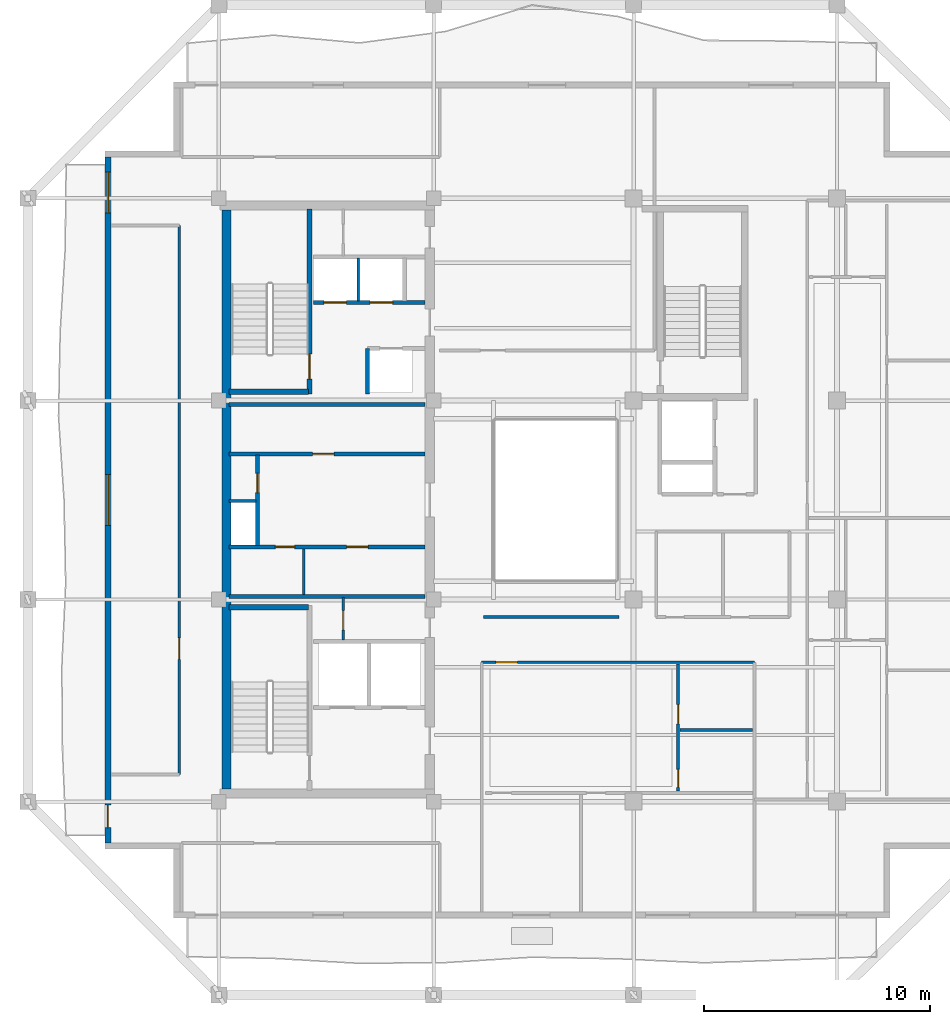
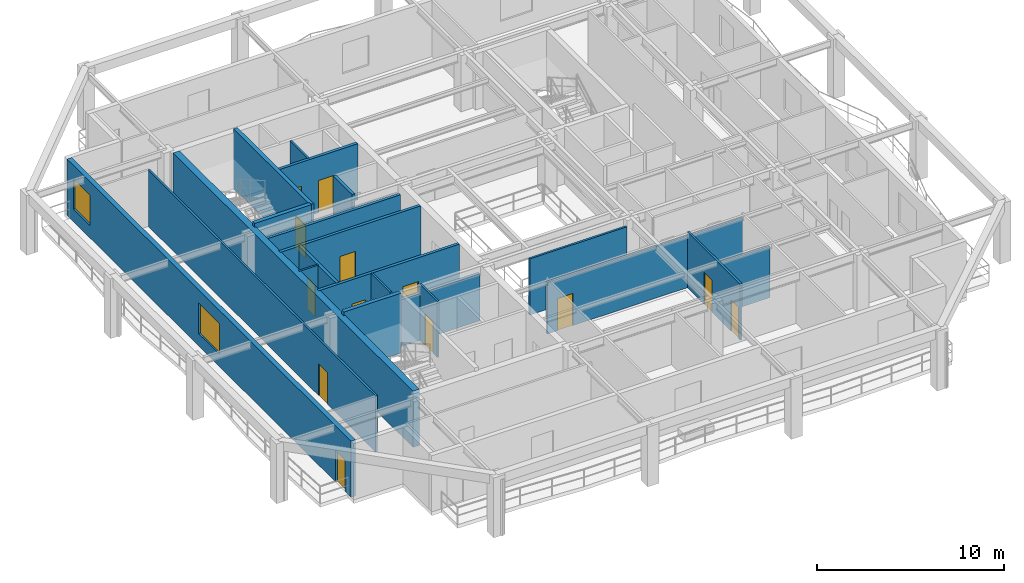
# One storey, part 3 of 10: 21 walls, 13 doors, 2 windows, 15 openings.
"""IFC4 building model written with IfcOpenShell, lengths in metres."""

from ifc_helpers import new_model, si_unit, direction, frame, frame_2d, origin, place, context, subcontext, project, spatial, rectangle, extrude, material, layer, layer_set, type_object, element, fill, save


model = new_model("IFC4")

# Units and contexts
model_context = context("Model", 3, precision=1e-05, world=origin(), true_north=direction((0.0, 1.0)))
body_context = subcontext(model_context, "Body", "Model", "MODEL_VIEW")
ifc_project = project(units=[si_unit("LENGTHUNIT", "METRE"), si_unit("AREAUNIT", "SQUARE_METRE"), si_unit("VOLUMEUNIT", "CUBIC_METRE"), si_unit("PLANEANGLEUNIT", "RADIAN"), si_unit("MASSUNIT", "GRAM", prefix="KILO")], contexts=[model_context])

# Site, building, storey
site_placement = place(None, origin())
site = spatial("IfcSite", under=ifc_project, at=site_placement, CompositionType="ELEMENT")
building_placement = place(site_placement, origin())
building = spatial("IfcBuilding", under=site, at=building_placement, Name="Kundavana Baori Tower", CompositionType="ELEMENT")
storey_placement = place(building_placement, frame((0.0, 0.0, 276.5)))
storey = spatial("IfcBuildingStorey", under=building, at=storey_placement, Name="L68", CompositionType="ELEMENT", Elevation=276.5)

# Walls
ifc_material_1 = material(Name="Concrete C50/60", Category="concrete")
ifc_layer_1 = layer(ifc_material_1, 0.39990234375, Name="WL-CORE-400")
ifc_layer_set_1 = layer_set([ifc_layer_1], Name="Concrete C50/60")
wall_type_1 = type_object("IfcWallType", Name="WL-CORE-400", PredefinedType="SHEAR", material=ifc_layer_set_1)
wall_1_placement = place(storey_placement, frame((15.7900390625, 15.81005859375, 0.0), z_axis=(0.0, 0.0, 1.0), x_axis=(0.0, 1.0, 0.0)))
element("IfcWall", 1, at=wall_1_placement, inside=storey, type_object=wall_type_1, Name="L68 Offset Core West Shear Wall", PredefinedType="SHEAR", context=body_context, shape_type="SweptSolid", body=[
    extrude(rectangle(XDim=25.6298828125, YDim=0.39990234375, at=frame_2d((12.81494140625, 0.0))), origin(), (0.0, 0.0, 1.0), 3.659912109375),
])
wall_2_placement = place(storey_placement, frame((15.89990234375, 23.860107421875, 0.0), z_axis=(0.0, 0.0, 1.0), x_axis=(1.0, 0.0, 0.0)))
element("IfcWall", 2, at=wall_2_placement, inside=storey, type_object=wall_type_1, Name="WL-L68-ST1-N", PredefinedType="SHEAR", context=body_context, shape_type="SweptSolid", body=[
    extrude(rectangle(XDim=3.52001953125, YDim=0.239990234375, at=frame_2d((1.760009765625, 0.0))), origin(), (0.0, 0.0, 1.0), 3.89990234375),
])

# Wall, opening, door
wall_3_placement = place(storey_placement, frame((19.4599609375, 33.300048828125, 0.0), z_axis=(0.0, 0.0, 1.0), x_axis=(0.0, 1.0, 0.0)))
wall_3 = element("IfcWall", 3, at=wall_3_placement, inside=storey, type_object=wall_type_1, Name="WL-L68-ST2-E", PredefinedType="SHEAR", context=body_context, shape_type="SweptSolid", body=[
    extrude(rectangle(XDim=8.179931640625, YDim=0.239990234375, at=frame_2d((4.08984375, 0.0))), origin(), (0.0, 0.0, 1.0), 3.89990234375),
])
opening_1_placement = place(wall_3_placement, frame((0.64990234375, 0.0, 0.0)))
opening_1 = element("IfcOpeningElement", 4, at=opening_1_placement, cuts=wall_3, Name="Opening FD-110", PredefinedType="OPENING", context=body_context, shape_type="SweptSolid", body=[
    extrude(rectangle(XDim=1.10009765625, YDim=2.10009765625, at=frame_2d((0.550048828125, 1.050048828125))), frame((0.0, 0.1298828125, 0.0), z_axis=(0.0, -1.0, 0.0), x_axis=(1.0, 0.0, 0.0)), (0.0, 0.0, 1.0), 0.260009765625),
])
ifc_material_2 = material(Name="Galvanised Steel Fire-Rated Door Leaf", Category="steel")
door_type_1 = type_object("IfcDoorType", Name="DR-FD120-1100", OperationType="NOTDEFINED", PredefinedType="DOOR", material=ifc_material_2)
door_1_placement = place(opening_1_placement, origin())
door_1 = element("IfcDoor", 5, at=door_1_placement, inside=storey, type_object=door_type_1, Name="DR-L68-ST2", OperationType="SINGLE_SWING_RIGHT", OverallHeight=2.10009765625, OverallWidth=1.10009765625, PredefinedType="DOOR", context=body_context, shape_type="SweptSolid", body=[
    extrude(rectangle(XDim=1.10009765625, YDim=2.10009765625, at=frame_2d((0.550048828125, 1.050048828125))), frame((0.0, 0.02490234375, 0.0), z_axis=(0.0, -1.0, 0.0), x_axis=(1.0, 0.0, 0.0)), (0.0, 0.0, 1.0), 0.050048828125),
])
fill(opening_1, door_1)

# Wall
wall_4_placement = place(storey_placement, frame((15.89990234375, 33.389892578125, 0.0), z_axis=(0.0, 0.0, 1.0), x_axis=(1.0, 0.0, 0.0)))
element("IfcWall", 6, at=wall_4_placement, inside=storey, type_object=wall_type_1, Name="WL-L68-ST2-S", PredefinedType="SHEAR", context=body_context, shape_type="SweptSolid", body=[
    extrude(rectangle(XDim=3.52001953125, YDim=0.239990234375, at=frame_2d((1.760009765625, 0.0))), origin(), (0.0, 0.0, 1.0), 3.89990234375),
])

# Wall, openings, door, windows
ifc_material_3 = material(Name="Red-Buff Dholpur Sandstone Cladding on Concrete C40/50", Category="masonry")
ifc_layer_2 = layer(ifc_material_3, 0.280029296875, Name="WL-EXT-SAND-280")
ifc_layer_set_2 = layer_set([ifc_layer_2], Name="Red-Buff Dholpur Sandstone Cladding on Concrete C40/50")
wall_type_2 = type_object("IfcWallType", Name="WL-EXT-SAND-280", PredefinedType="STANDARD", material=ifc_layer_set_2)
wall_5_placement = place(storey_placement, frame((10.5400390625, 43.77001953125, 0.0), z_axis=(0.0, 0.0, 1.0), x_axis=(0.0, -1.0, 0.0)))
wall_5 = element("IfcWall", 7, at=wall_5_placement, inside=storey, type_object=wall_type_2, Name="L68 Exterior Insulated Facade Wall 10", PredefinedType="STANDARD", context=body_context, shape_type="SweptSolid", body=[
    extrude(rectangle(XDim=30.340087890625, YDim=0.280029296875, at=frame_2d((15.169921875, 0.0))), origin(), (0.0, 0.0, 1.0), 3.659912109375),
])
opening_2_placement = place(wall_5_placement, frame((28.669921875, 0.0, 0.0)))
opening_2 = element("IfcOpeningElement", 8, at=opening_2_placement, cuts=wall_5, Name="Opening BD-1", PredefinedType="OPENING", context=body_context, shape_type="SweptSolid", body=[
    extrude(rectangle(XDim=1.0, YDim=2.050048828125, at=frame_2d((0.5, 1.02490234375))), frame((0.0, 0.14990234375, 0.0), z_axis=(0.0, -1.0, 0.0), x_axis=(1.0, 0.0, 0.0)), (0.0, 0.0, 1.0), 0.300048828125),
])
opening_3_placement = place(wall_5_placement, frame((14.044921875, 0.0, 0.800048828125)))
opening_3 = element("IfcOpeningElement", 9, at=opening_3_placement, cuts=wall_5, Name="Opening W-10", PredefinedType="OPENING", context=body_context, shape_type="SweptSolid", body=[
    extrude(rectangle(XDim=2.25, YDim=2.0, at=frame_2d((1.125, 1.0))), frame((0.0, 0.14990234375, 0.0), z_axis=(0.0, -1.0, 0.0), x_axis=(1.0, 0.0, 0.0)), (0.0, 0.0, 1.0), 0.300048828125),
])
opening_4_placement = place(wall_5_placement, frame((0.6650390625, 0.0, 0.800048828125)))
opening_4 = element("IfcOpeningElement", 10, at=opening_4_placement, cuts=wall_5, Name="Opening W-01", PredefinedType="OPENING", context=body_context, shape_type="SweptSolid", body=[
    extrude(rectangle(XDim=1.800048828125, YDim=2.0, at=frame_2d((0.89990234375, 1.0))), frame((0.0, 0.14990234375, 0.0), z_axis=(0.0, -1.0, 0.0), x_axis=(1.0, 0.0, 0.0)), (0.0, 0.0, 1.0), 0.300048828125),
])
ifc_material_4 = material(Name="Architectural Patinated Bronze Metalwork")
door_type_2 = type_object("IfcDoorType", Name="DR-EXT-LOG-1000", OperationType="NOTDEFINED", PredefinedType="DOOR", material=ifc_material_4)
door_2_placement = place(opening_2_placement, frame((1.0, 0.0, 0.0), z_axis=(0.0, 0.0, 1.0), x_axis=(-1.0, 0.0, 0.0)))
door_2 = element("IfcDoor", 11, at=door_2_placement, inside=storey, type_object=door_type_2, Name="L68 Loggia Balcony Access Door W", OperationType="SINGLE_SWING_RIGHT", OverallHeight=2.050048828125, OverallWidth=1.0, PredefinedType="DOOR", context=body_context, shape_type="SweptSolid", body=[
    extrude(rectangle(XDim=1.0, YDim=2.050048828125, at=frame_2d((0.5, 1.02490234375))), frame((0.0, 0.02490234375, 0.0), z_axis=(0.0, -1.0, 0.0), x_axis=(1.0, 0.0, 0.0)), (0.0, 0.0, 1.0), 0.050048828125),
])
fill(opening_2, door_2)
ifc_material_5 = material(Name="Double-Glazed Solar-Control Low-E Insulated Glass", Category="glass")
window_type_1 = type_object("IfcWindowType", Name="WIN-LOG-1800x2000", PartitioningType="SINGLE_PANEL", PredefinedType="WINDOW", material=ifc_material_5)
window_1_placement = place(opening_4_placement, origin())
window_1 = element("IfcWindow", 12, at=window_1_placement, inside=storey, type_object=window_type_1, Name="L68 Recessed Loggia Window W-3", OverallHeight=2.0, OverallWidth=1.800048828125, PartitioningType="SINGLE_PANEL", PredefinedType="WINDOW", context=body_context, shape_type="SweptSolid", body=[
    extrude(rectangle(XDim=1.800048828125, YDim=2.0, at=frame_2d((0.89990234375, 1.0))), frame((0.0, 0.030029296875, 0.0), z_axis=(0.0, -1.0, 0.0), x_axis=(1.0, 0.0, 0.0)), (0.0, 0.0, 1.0), 0.06005859375),
])
fill(opening_4, window_1)
ifc_material_6 = material(Name="Double-Glazed Solar-Control Low-E Insulated Glass", Category="glass")
window_type_2 = type_object("IfcWindowType", Name="WIN-LOG-2250x2000", PartitioningType="SINGLE_PANEL", PredefinedType="WINDOW", material=ifc_material_6)
window_2_placement = place(opening_3_placement, origin())
window_2 = element("IfcWindow", 13, at=window_2_placement, inside=storey, type_object=window_type_2, Name="L68 Recessed Loggia Window W-2", OverallHeight=2.0, OverallWidth=2.25, PartitioningType="SINGLE_PANEL", PredefinedType="WINDOW", context=body_context, shape_type="SweptSolid", body=[
    extrude(rectangle(XDim=2.25, YDim=2.0, at=frame_2d((1.125, 1.0))), frame((0.0, 0.030029296875, 0.0), z_axis=(0.0, -1.0, 0.0), x_axis=(1.0, 0.0, 0.0)), (0.0, 0.0, 1.0), 0.06005859375),
])
fill(opening_3, window_2)

# Wall, opening, door
ifc_material_7 = material(Name="Acoustic Gypsum Plasterboard on Galvanised Steel Studs", Category="steel")
ifc_layer_3 = layer(ifc_material_7, 0.1201171875, Name="WL-PART-120")
ifc_layer_set_3 = layer_set([ifc_layer_3], Name="Acoustic Gypsum Plasterboard on Galvanised Steel Studs")
wall_type_3 = type_object("IfcWallType", Name="WL-PART-120", PredefinedType="PARTITIONING", material=ifc_layer_set_3)
wall_6_placement = place(storey_placement, frame((20.949951171875, 22.39990234375, 0.0), z_axis=(0.0, 0.0, 1.0), x_axis=(0.0, 1.0, 0.0)))
wall_6 = element("IfcWall", 14, at=wall_6_placement, inside=storey, type_object=wall_type_3, Name="WL-L68-CSMK-D2", PredefinedType="PARTITIONING", context=body_context, shape_type="SweptSolid", body=[
    extrude(rectangle(XDim=1.880126953125, YDim=0.1201171875, at=frame_2d((0.93994140625, 0.0))), origin(), (0.0, 0.0, 1.0), 3.659912109375),
])
opening_5_placement = place(wall_6_placement, frame((0.449951171875, 0.0, 0.0)))
opening_5 = element("IfcOpeningElement", 15, at=opening_5_placement, cuts=wall_6, Name="Opening FD-085", PredefinedType="OPENING", context=body_context, shape_type="SweptSolid", body=[
    extrude(rectangle(XDim=0.85009765625, YDim=2.06005859375, at=frame_2d((0.425048828125, 1.030029296875))), frame((0.0, 0.070068359375, 0.0), z_axis=(0.0, -1.0, 0.0), x_axis=(1.0, 0.0, 0.0)), (0.0, 0.0, 1.0), 0.14013671875),
])
ifc_material_8 = material(Name="Galvanised Steel Fire-Rated Door Leaf", Category="steel")
door_type_3 = type_object("IfcDoorType", Name="DR-FD60-850", OperationType="NOTDEFINED", PredefinedType="DOOR", material=ifc_material_8)
door_3_placement = place(opening_5_placement, origin())
door_3 = element("IfcDoor", 16, at=door_3_placement, inside=storey, type_object=door_type_3, Name="DR-L68-CSMK1", OperationType="SINGLE_SWING_RIGHT", OverallHeight=2.06005859375, OverallWidth=0.85009765625, PredefinedType="DOOR", context=body_context, shape_type="SweptSolid", body=[
    extrude(rectangle(XDim=0.85009765625, YDim=2.06005859375, at=frame_2d((0.425048828125, 1.030029296875))), frame((0.0, 0.02490234375, 0.0), z_axis=(0.0, -1.0, 0.0), x_axis=(1.0, 0.0, 0.0)), (0.0, 0.0, 1.0), 0.050048828125),
])
fill(opening_5, door_3)

# Walls
wall_7_placement = place(storey_placement, frame((19.199951171875, 24.419921875, 0.0), z_axis=(0.0, 0.0, 1.0), x_axis=(0.0, 1.0, 0.0)))
element("IfcWall", 17, at=wall_7_placement, inside=storey, type_object=wall_type_3, Name="WL-L68-FRLOW-DIV", PredefinedType="PARTITIONING", context=body_context, shape_type="SweptSolid", body=[
    extrude(rectangle(XDim=2.02001953125, YDim=0.1201171875, at=frame_2d((1.010009765625, 0.0))), origin(), (0.0, 0.0, 1.0), 3.659912109375),
])
wall_8_placement = place(storey_placement, frame((15.89990234375, 28.56005859375, 0.0), z_axis=(0.0, 0.0, 1.0), x_axis=(1.0, 0.0, 0.0)))
element("IfcWall", 18, at=wall_8_placement, inside=storey, type_object=wall_type_3, Name="WL-L68-RSRW-N", PredefinedType="PARTITIONING", context=body_context, shape_type="SweptSolid", body=[
    extrude(rectangle(XDim=1.2001953125, YDim=0.1201171875, at=frame_2d((0.60009765625, 0.0))), origin(), (0.0, 0.0, 1.0), 3.659912109375),
])
wall_9_placement = place(storey_placement, frame((21.6201171875, 37.39990234375, 0.0), z_axis=(0.0, 0.0, 1.0), x_axis=(0.0, 1.0, 0.0)))
element("IfcWall", 19, at=wall_9_placement, inside=storey, type_object=wall_type_3, Name="WL-L68-HR-DIV1", PredefinedType="PARTITIONING", context=body_context, shape_type="SweptSolid", body=[
    extrude(rectangle(XDim=1.900146484375, YDim=0.1201171875, at=frame_2d((0.9501953125, 0.0))), origin(), (0.0, 0.0, 1.0), 3.659912109375),
])

# Wall, openings, doors
ifc_material_9 = material(Name="Autoclaved Aerated Concrete Blockwork Masonry", Category="masonry")
ifc_layer_4 = layer(ifc_material_9, 0.179931640625, Name="WL-SHAFT-180")
ifc_layer_set_4 = layer_set([ifc_layer_4], Name="Autoclaved Aerated Concrete Blockwork Masonry")
wall_type_4 = type_object("IfcWallType", Name="WL-SHAFT-180", PredefinedType="SOLIDWALL", material=ifc_layer_set_4)
wall_10_placement = place(storey_placement, frame((15.89990234375, 26.52001953125, 0.0), z_axis=(0.0, 0.0, 1.0), x_axis=(1.0, 0.0, 0.0)))
wall_10 = element("IfcWall", 20, at=wall_10_placement, inside=storey, type_object=wall_type_4, Name="WL-L68-LPLOW-N", PredefinedType="SOLIDWALL", context=body_context, shape_type="SweptSolid", body=[
    extrude(rectangle(XDim=8.68017578125, YDim=0.179931640625, at=frame_2d((4.340087890625, 0.0))), origin(), (0.0, 0.0, 1.0), 3.659912109375),
])
opening_6_placement = place(wall_10_placement, frame((2.050048828125, 0.0, 0.0)))
opening_6 = element("IfcOpeningElement", 21, at=opening_6_placement, cuts=wall_10, Name="Opening FD-085", PredefinedType="OPENING", context=body_context, shape_type="SweptSolid", body=[
    extrude(rectangle(XDim=0.85009765625, YDim=2.06005859375, at=frame_2d((0.425048828125, 1.030029296875))), frame((0.0, 0.10009765625, 0.0), z_axis=(0.0, -1.0, 0.0), x_axis=(1.0, 0.0, 0.0)), (0.0, 0.0, 1.0), 0.199951171875),
])
opening_7_placement = place(wall_10_placement, frame((5.199951171875, 0.0, 0.0)))
opening_7 = element("IfcOpeningElement", 22, at=opening_7_placement, cuts=wall_10, Name="Opening FD-095", PredefinedType="OPENING", context=body_context, shape_type="SweptSolid", body=[
    extrude(rectangle(XDim=0.949951171875, YDim=2.10009765625, at=frame_2d((0.47509765625, 1.050048828125))), frame((0.0, 0.10009765625, 0.0), z_axis=(0.0, -1.0, 0.0), x_axis=(1.0, 0.0, 0.0)), (0.0, 0.0, 1.0), 0.199951171875),
])
door_4_placement = place(opening_6_placement, origin())
door_4 = element("IfcDoor", 23, at=door_4_placement, inside=storey, type_object=door_type_3, Name="DR-L68-FRLOW1", OperationType="SINGLE_SWING_LEFT", OverallHeight=2.06005859375, OverallWidth=0.85009765625, PredefinedType="DOOR", context=body_context, shape_type="SweptSolid", body=[
    extrude(rectangle(XDim=0.85009765625, YDim=2.06005859375, at=frame_2d((0.425048828125, 1.030029296875))), frame((0.0, 0.02490234375, 0.0), z_axis=(0.0, -1.0, 0.0), x_axis=(1.0, 0.0, 0.0)), (0.0, 0.0, 1.0), 0.050048828125),
])
fill(opening_6, door_4)
ifc_material_10 = material(Name="Engineered Teak Fire-Rated Timber Door Leaf", Category="wood")
door_type_4 = type_object("IfcDoorType", Name="DR-FD60-950", OperationType="NOTDEFINED", PredefinedType="DOOR", material=ifc_material_10)
door_5_placement = place(opening_7_placement, origin())
door_5 = element("IfcDoor", 24, at=door_5_placement, inside=storey, type_object=door_type_4, Name="DR-L68-FRLOW2", OperationType="SINGLE_SWING_RIGHT", OverallHeight=2.10009765625, OverallWidth=0.949951171875, PredefinedType="DOOR", context=body_context, shape_type="SweptSolid", body=[
    extrude(rectangle(XDim=0.949951171875, YDim=2.10009765625, at=frame_2d((0.47509765625, 1.050048828125))), frame((0.0, 0.02490234375, 0.0), z_axis=(0.0, -1.0, 0.0), x_axis=(1.0, 0.0, 0.0)), (0.0, 0.0, 1.0), 0.050048828125),
])
fill(opening_7, door_5)

# Wall
wall_11_placement = place(storey_placement, frame((15.89990234375, 24.330078125, 0.0), z_axis=(0.0, 0.0, 1.0), x_axis=(1.0, 0.0, 0.0)))
element("IfcWall", 25, at=wall_11_placement, inside=storey, type_object=wall_type_4, Name="WL-L68-LPLOW-S", PredefinedType="SOLIDWALL", context=body_context, shape_type="SweptSolid", body=[
    extrude(rectangle(XDim=8.68017578125, YDim=0.179931640625, at=frame_2d((4.340087890625, 0.0))), origin(), (0.0, 0.0, 1.0), 3.06005859375),
])

# Wall, opening, door
wall_12_placement = place(storey_placement, frame((17.159912109375, 26.580078125, 0.0), z_axis=(0.0, 0.0, 1.0), x_axis=(0.0, 1.0, 0.0)))
wall_12 = element("IfcWall", 26, at=wall_12_placement, inside=storey, type_object=wall_type_4, Name="WL-L68-RSRW-E", PredefinedType="SOLIDWALL", context=body_context, shape_type="SweptSolid", body=[
    extrude(rectangle(XDim=4.02001953125, YDim=0.179931640625, at=frame_2d((2.010009765625, 0.0))), origin(), (0.0, 0.0, 1.0), 3.659912109375),
])
opening_8_placement = place(wall_12_placement, frame((2.35009765625, 0.0, 0.0)))
opening_8 = element("IfcOpeningElement", 27, at=opening_8_placement, cuts=wall_12, Name="Opening FD-085", PredefinedType="OPENING", context=body_context, shape_type="SweptSolid", body=[
    extrude(rectangle(XDim=0.85009765625, YDim=2.06005859375, at=frame_2d((0.425048828125, 1.030029296875))), frame((0.0, 0.10009765625, 0.0), z_axis=(0.0, -1.0, 0.0), x_axis=(1.0, 0.0, 0.0)), (0.0, 0.0, 1.0), 0.199951171875),
])
door_6_placement = place(opening_8_placement, origin())
door_6 = element("IfcDoor", 28, at=door_6_placement, inside=storey, type_object=door_type_3, Name="DR-L68-CLN", OperationType="SINGLE_SWING_RIGHT", OverallHeight=2.06005859375, OverallWidth=0.85009765625, PredefinedType="DOOR", context=body_context, shape_type="SweptSolid", body=[
    extrude(rectangle(XDim=0.85009765625, YDim=2.06005859375, at=frame_2d((0.425048828125, 1.030029296875))), frame((0.0, 0.02490234375, 0.0), z_axis=(0.0, -1.0, 0.0), x_axis=(1.0, 0.0, 0.0)), (0.0, 0.0, 1.0), 0.050048828125),
])
fill(opening_8, door_6)

wall_13_placement = place(storey_placement, frame((15.89990234375, 30.639892578125, 0.0), z_axis=(0.0, 0.0, 1.0), x_axis=(1.0, 0.0, 0.0)))
wall_13 = element("IfcWall", 29, at=wall_13_placement, inside=storey, type_object=wall_type_4, Name="WL-L68-LPMID-S", PredefinedType="SOLIDWALL", context=body_context, shape_type="SweptSolid", body=[
    extrude(rectangle(XDim=8.68017578125, YDim=0.179931640625, at=frame_2d((4.340087890625, 0.0))), origin(), (0.0, 0.0, 1.0), 3.659912109375),
])
opening_9_placement = place(wall_13_placement, frame((3.699951171875, 0.0, 0.0)))
opening_9 = element("IfcOpeningElement", 30, at=opening_9_placement, cuts=wall_13, Name="Opening FD-095", PredefinedType="OPENING", context=body_context, shape_type="SweptSolid", body=[
    extrude(rectangle(XDim=0.949951171875, YDim=2.10009765625, at=frame_2d((0.47509765625, 1.050048828125))), frame((0.0, 0.10009765625, 0.0), z_axis=(0.0, -1.0, 0.0), x_axis=(1.0, 0.0, 0.0)), (0.0, 0.0, 1.0), 0.199951171875),
])
door_7_placement = place(opening_9_placement, frame((0.949951171875, 0.0, 0.0), z_axis=(0.0, 0.0, 1.0), x_axis=(-1.0, 0.0, 0.0)))
door_7 = element("IfcDoor", 31, at=door_7_placement, inside=storey, type_object=door_type_4, Name="DR-L68-FRMID1", OperationType="SINGLE_SWING_RIGHT", OverallHeight=2.10009765625, OverallWidth=0.949951171875, PredefinedType="DOOR", context=body_context, shape_type="SweptSolid", body=[
    extrude(rectangle(XDim=0.949951171875, YDim=2.10009765625, at=frame_2d((0.47509765625, 1.050048828125))), frame((0.0, 0.02490234375, 0.0), z_axis=(0.0, -1.0, 0.0), x_axis=(1.0, 0.0, 0.0)), (0.0, 0.0, 1.0), 0.050048828125),
])
fill(opening_9, door_7)

# Walls
wall_14_placement = place(storey_placement, frame((15.89990234375, 32.820068359375, 0.0), z_axis=(0.0, 0.0, 1.0), x_axis=(1.0, 0.0, 0.0)))
element("IfcWall", 32, at=wall_14_placement, inside=storey, type_object=wall_type_4, Name="WL-L68-LPMID-N", PredefinedType="SOLIDWALL", context=body_context, shape_type="SweptSolid", body=[
    extrude(rectangle(XDim=8.68017578125, YDim=0.179931640625, at=frame_2d((4.340087890625, 0.0))), origin(), (0.0, 0.0, 1.0), 3.06005859375),
])
wall_15_placement = place(storey_placement, frame((22.02001953125, 33.300048828125, 0.0), z_axis=(0.0, 0.0, 1.0), x_axis=(0.0, 1.0, 0.0)))
element("IfcWall", 33, at=wall_15_placement, inside=storey, type_object=wall_type_4, Name="WL-L68-LP11-W", PredefinedType="SOLIDWALL", context=body_context, shape_type="SweptSolid", body=[
    extrude(rectangle(XDim=2.010009765625, YDim=0.179931640625, at=frame_2d((1.0048828125, 0.0))), origin(), (0.0, 0.0, 1.0), 3.659912109375),
])

# Wall, openings, doors
wall_16_placement = place(storey_placement, frame((19.639892578125, 37.340087890625, 0.0), z_axis=(0.0, 0.0, 1.0), x_axis=(1.0, 0.0, 0.0)))
wall_16 = element("IfcWall", 34, at=wall_16_placement, inside=storey, type_object=wall_type_4, Name="WL-L68-HRLOB-N", PredefinedType="SOLIDWALL", context=body_context, shape_type="SweptSolid", body=[
    extrude(rectangle(XDim=4.940185546875, YDim=0.179931640625, at=frame_2d((2.47021484375, 0.0))), origin(), (0.0, 0.0, 1.0), 3.659912109375),
])
opening_10_placement = place(wall_16_placement, frame((0.449951171875, 0.0, 0.0)))
opening_10 = element("IfcOpeningElement", 35, at=opening_10_placement, cuts=wall_16, Name="Opening LD-100", PredefinedType="OPENING", context=body_context, shape_type="SweptSolid", body=[
    extrude(rectangle(XDim=1.0, YDim=2.10009765625, at=frame_2d((0.5, 1.050048828125))), frame((0.0, 0.10009765625, 0.0), z_axis=(0.0, -1.0, 0.0), x_axis=(1.0, 0.0, 0.0)), (0.0, 0.0, 1.0), 0.199951171875),
])
opening_11_placement = place(wall_16_placement, frame((2.5, 0.0, 0.0)))
opening_11 = element("IfcOpeningElement", 36, at=opening_11_placement, cuts=wall_16, Name="Opening LD-100", PredefinedType="OPENING", context=body_context, shape_type="SweptSolid", body=[
    extrude(rectangle(XDim=1.0, YDim=2.10009765625, at=frame_2d((0.5, 1.050048828125))), frame((0.0, 0.10009765625, 0.0), z_axis=(0.0, -1.0, 0.0), x_axis=(1.0, 0.0, 0.0)), (0.0, 0.0, 1.0), 0.199951171875),
])
ifc_material_11 = material(Name="Galvanised Steel Fire-Rated Door Leaf", Category="steel")
door_type_5 = type_object("IfcDoorType", Name="DR-SLIDE-LD1000", OperationType="NOTDEFINED", PredefinedType="DOOR", material=ifc_material_11)
door_8_placement = place(opening_10_placement, frame((1.0, 0.0, 0.0), z_axis=(0.0, 0.0, 1.0), x_axis=(-1.0, 0.0, 0.0)))
door_8 = element("IfcDoor", 37, at=door_8_placement, inside=storey, type_object=door_type_5, Name="DR-L68-LD-LP09", OperationType="DOUBLE_DOOR_SLIDING", OverallHeight=2.10009765625, OverallWidth=1.0, PredefinedType="DOOR", context=body_context, shape_type="SweptSolid", body=[
    extrude(rectangle(XDim=1.0, YDim=2.10009765625, at=frame_2d((0.5, 1.050048828125))), frame((0.0, 0.02490234375, 0.0), z_axis=(0.0, -1.0, 0.0), x_axis=(1.0, 0.0, 0.0)), (0.0, 0.0, 1.0), 0.050048828125),
])
fill(opening_10, door_8)
door_9_placement = place(opening_11_placement, frame((1.0, 0.0, 0.0), z_axis=(0.0, 0.0, 1.0), x_axis=(-1.0, 0.0, 0.0)))
door_9 = element("IfcDoor", 38, at=door_9_placement, inside=storey, type_object=door_type_5, Name="DR-L68-LD-LP10", OperationType="DOUBLE_DOOR_SLIDING", OverallHeight=2.10009765625, OverallWidth=1.0, PredefinedType="DOOR", context=body_context, shape_type="SweptSolid", body=[
    extrude(rectangle(XDim=1.0, YDim=2.10009765625, at=frame_2d((0.5, 1.050048828125))), frame((0.0, 0.02490234375, 0.0), z_axis=(0.0, -1.0, 0.0), x_axis=(1.0, 0.0, 0.0)), (0.0, 0.0, 1.0), 0.050048828125),
])
fill(opening_11, door_9)

# Wall, opening, door
ifc_material_12 = material(Name="Autoclaved Aerated Concrete Blockwork Masonry", Category="masonry")
ifc_layer_5 = layer(ifc_material_12, 0.125, Name="WL-WET-120")
ifc_layer_set_5 = layer_set([ifc_layer_5], Name="Autoclaved Aerated Concrete Blockwork Masonry")
wall_type_5 = type_object("IfcWallType", Name="WL-WET-120", PredefinedType="PLUMBINGWALL", material=ifc_layer_set_5)
wall_17_placement = place(storey_placement, frame((27.080078125, 21.419921875, 0.0), z_axis=(0.0, 0.0, 1.0), x_axis=(1.0, 0.0, 0.0)))
wall_17 = element("IfcWall", 39, at=wall_17_placement, inside=storey, type_object=wall_type_5, Name="WL-L68-RS", PredefinedType="PLUMBINGWALL", context=body_context, shape_type="SweptSolid", body=[
    extrude(rectangle(XDim=12.06982421875, YDim=0.125, at=frame_2d((6.034912109375, 0.0))), origin(), (0.0, 0.0, 1.0), 3.360107421875),
])
opening_12_placement = place(wall_17_placement, frame((0.6298828125, 0.0, 0.0)))
opening_12 = element("IfcOpeningElement", 40, at=opening_12_placement, cuts=wall_17, Name="Opening FD-095", PredefinedType="OPENING", context=body_context, shape_type="SweptSolid", body=[
    extrude(rectangle(XDim=0.949951171875, YDim=2.10009765625, at=frame_2d((0.47509765625, 1.050048828125))), frame((0.0, 0.072509765625, 0.0), z_axis=(0.0, -1.0, 0.0), x_axis=(1.0, 0.0, 0.0)), (0.0, 0.0, 1.0), 0.14501953125),
])
door_10_placement = place(opening_12_placement, frame((0.949951171875, 0.0, 0.0), z_axis=(0.0, 0.0, 1.0), x_axis=(-1.0, 0.0, 0.0)))
door_10 = element("IfcDoor", 41, at=door_10_placement, inside=storey, type_object=door_type_4, Name="DR-L68-S1-ENT", OperationType="SINGLE_SWING_RIGHT", OverallHeight=2.10009765625, OverallWidth=0.949951171875, PredefinedType="DOOR", context=body_context, shape_type="SweptSolid", body=[
    extrude(rectangle(XDim=0.949951171875, YDim=2.10009765625, at=frame_2d((0.47509765625, 1.050048828125))), frame((0.0, 0.02490234375, 0.0), z_axis=(0.0, -1.0, 0.0), x_axis=(1.0, 0.0, 0.0)), (0.0, 0.0, 1.0), 0.050048828125),
])
fill(opening_12, door_10)

# Wall
wall_18_placement = place(storey_placement, frame((27.14990234375, 23.419921875, 0.0), z_axis=(0.0, 0.0, 1.0), x_axis=(1.0, 0.0, 0.0)))
element("IfcWall", 42, at=wall_18_placement, inside=storey, type_object=wall_type_5, Name="WL-L68-RST", PredefinedType="PLUMBINGWALL", context=body_context, shape_type="SweptSolid", body=[
    extrude(rectangle(XDim=6.0, YDim=0.125, at=frame_2d((3.0, 0.0))), origin(), (0.0, 0.0, 1.0), 3.659912109375),
])

# Wall, opening, door
wall_19_placement = place(storey_placement, frame((13.699951171875, 16.449951171875, 0.0), z_axis=(0.0, 0.0, 1.0), x_axis=(0.0, 1.0, 0.0)))
wall_19 = element("IfcWall", 43, at=wall_19_placement, inside=storey, type_object=wall_type_5, Name="WL-L68-RW", PredefinedType="PLUMBINGWALL", context=body_context, shape_type="SweptSolid", body=[
    extrude(rectangle(XDim=24.300048828125, YDim=0.125, at=frame_2d((12.14990234375, 0.0))), origin(), (0.0, 0.0, 1.0), 3.659912109375),
])
opening_13_placement = place(wall_19_placement, frame((5.10009765625, 0.0, 0.0)))
opening_13 = element("IfcOpeningElement", 44, at=opening_13_placement, cuts=wall_19, Name="Opening ID-095", PredefinedType="OPENING", context=body_context, shape_type="SweptSolid", body=[
    extrude(rectangle(XDim=0.949951171875, YDim=2.080078125, at=frame_2d((0.47509765625, 1.0400390625))), frame((0.0, 0.072509765625, 0.0), z_axis=(0.0, -1.0, 0.0), x_axis=(1.0, 0.0, 0.0)), (0.0, 0.0, 1.0), 0.14501953125),
])
ifc_material_13 = material(Name="Engineered Teak Solid-Core Timber Veneer", Category="wood")
door_type_6 = type_object("IfcDoorType", Name="DR-INT-950", OperationType="NOTDEFINED", PredefinedType="DOOR", material=ifc_material_13)
door_11_placement = place(opening_13_placement, origin())
door_11 = element("IfcDoor", 45, at=door_11_placement, inside=storey, type_object=door_type_6, Name="DR-L68-RLNGW", OperationType="SINGLE_SWING_LEFT", OverallHeight=2.080078125, OverallWidth=0.949951171875, PredefinedType="DOOR", context=body_context, shape_type="SweptSolid", body=[
    extrude(rectangle(XDim=0.949951171875, YDim=2.080078125, at=frame_2d((0.47509765625, 1.0400390625))), frame((0.0, 0.02490234375, 0.0), z_axis=(0.0, -1.0, 0.0), x_axis=(1.0, 0.0, 0.0)), (0.0, 0.0, 1.0), 0.050048828125),
])
fill(opening_13, door_11)

# Wall, openings, doors
wall_20_placement = place(storey_placement, frame((35.77001953125, 15.720947265625, 0.0), z_axis=(0.0, 0.0, 1.0), x_axis=(0.0, 1.0, 0.0)))
wall_20 = element("IfcWall", 46, at=wall_20_placement, inside=storey, type_object=wall_type_5, Name="WL-L68-S1-KT", PredefinedType="PLUMBINGWALL", context=body_context, shape_type="SweptSolid", body=[
    extrude(rectangle(XDim=5.619140625, YDim=0.125, at=frame_2d((2.8095703125, 0.0))), origin(), (0.0, 0.0, 1.0), 3.659912109375),
])
opening_14_placement = place(wall_20_placement, frame((0.159912109375, 0.0, 0.0)))
opening_14 = element("IfcOpeningElement", 47, at=opening_14_placement, cuts=wall_20, Name="Opening WD-080", PredefinedType="OPENING", context=body_context, shape_type="SweptSolid", body=[
    extrude(rectangle(XDim=0.800048828125, YDim=2.050048828125, at=frame_2d((0.39990234375, 1.02490234375))), frame((0.0, 0.072509765625, 0.0), z_axis=(0.0, -1.0, 0.0), x_axis=(1.0, 0.0, 0.0)), (0.0, 0.0, 1.0), 0.14501953125),
])
opening_15_placement = place(wall_20_placement, frame((2.97705078125, 0.0, 0.0)))
opening_15 = element("IfcOpeningElement", 48, at=opening_15_placement, cuts=wall_20, Name="Opening ID-085", PredefinedType="OPENING", context=body_context, shape_type="SweptSolid", body=[
    extrude(rectangle(XDim=0.85009765625, YDim=2.080078125, at=frame_2d((0.425048828125, 1.0400390625))), frame((0.0, 0.072509765625, 0.0), z_axis=(0.0, -1.0, 0.0), x_axis=(1.0, 0.0, 0.0)), (0.0, 0.0, 1.0), 0.14501953125),
])
ifc_material_14 = material(Name="Engineered Teak Solid-Core Timber Veneer", Category="wood")
door_type_7 = type_object("IfcDoorType", Name="DR-INT-850", OperationType="NOTDEFINED", PredefinedType="DOOR", material=ifc_material_14)
door_12_placement = place(opening_15_placement, origin())
door_12 = element("IfcDoor", 49, at=door_12_placement, inside=storey, type_object=door_type_7, Name="DR-L68-S1-KT", OperationType="SINGLE_SWING_RIGHT", OverallHeight=2.080078125, OverallWidth=0.85009765625, PredefinedType="DOOR", context=body_context, shape_type="SweptSolid", body=[
    extrude(rectangle(XDim=0.85009765625, YDim=2.080078125, at=frame_2d((0.425048828125, 1.0400390625))), frame((0.0, 0.02490234375, 0.0), z_axis=(0.0, -1.0, 0.0), x_axis=(1.0, 0.0, 0.0)), (0.0, 0.0, 1.0), 0.050048828125),
])
fill(opening_15, door_12)
ifc_material_15 = material(Name="Engineered Teak Solid-Core Timber Veneer", Category="wood")
door_type_8 = type_object("IfcDoorType", Name="DR-WET-800", OperationType="NOTDEFINED", PredefinedType="DOOR", material=ifc_material_15)
door_13_placement = place(opening_14_placement, origin())
door_13 = element("IfcDoor", 50, at=door_13_placement, inside=storey, type_object=door_type_8, Name="DR-L68-S1-BT", OperationType="SINGLE_SWING_LEFT", OverallHeight=2.050048828125, OverallWidth=0.800048828125, PredefinedType="DOOR", context=body_context, shape_type="SweptSolid", body=[
    extrude(rectangle(XDim=0.800048828125, YDim=2.050048828125, at=frame_2d((0.39990234375, 1.02490234375))), frame((0.0, 0.02490234375, 0.0), z_axis=(0.0, -1.0, 0.0), x_axis=(1.0, 0.0, 0.0)), (0.0, 0.0, 1.0), 0.050048828125),
])
fill(opening_14, door_13)

# Wall
wall_21_placement = place(storey_placement, frame((35.85009765625, 18.41796875, 0.0), z_axis=(0.0, 0.0, 1.0), x_axis=(1.0, 0.0, 0.0)))
element("IfcWall", 51, at=wall_21_placement, inside=storey, type_object=wall_type_5, Name="WL-L68-S1-BT", PredefinedType="PLUMBINGWALL", context=body_context, shape_type="SweptSolid", body=[
    extrude(rectangle(XDim=3.219970703125, YDim=0.125, at=frame_2d((1.60986328125, 0.0))), origin(), (0.0, 0.0, 1.0), 3.360107421875),
])

save(model, "model.ifc")
